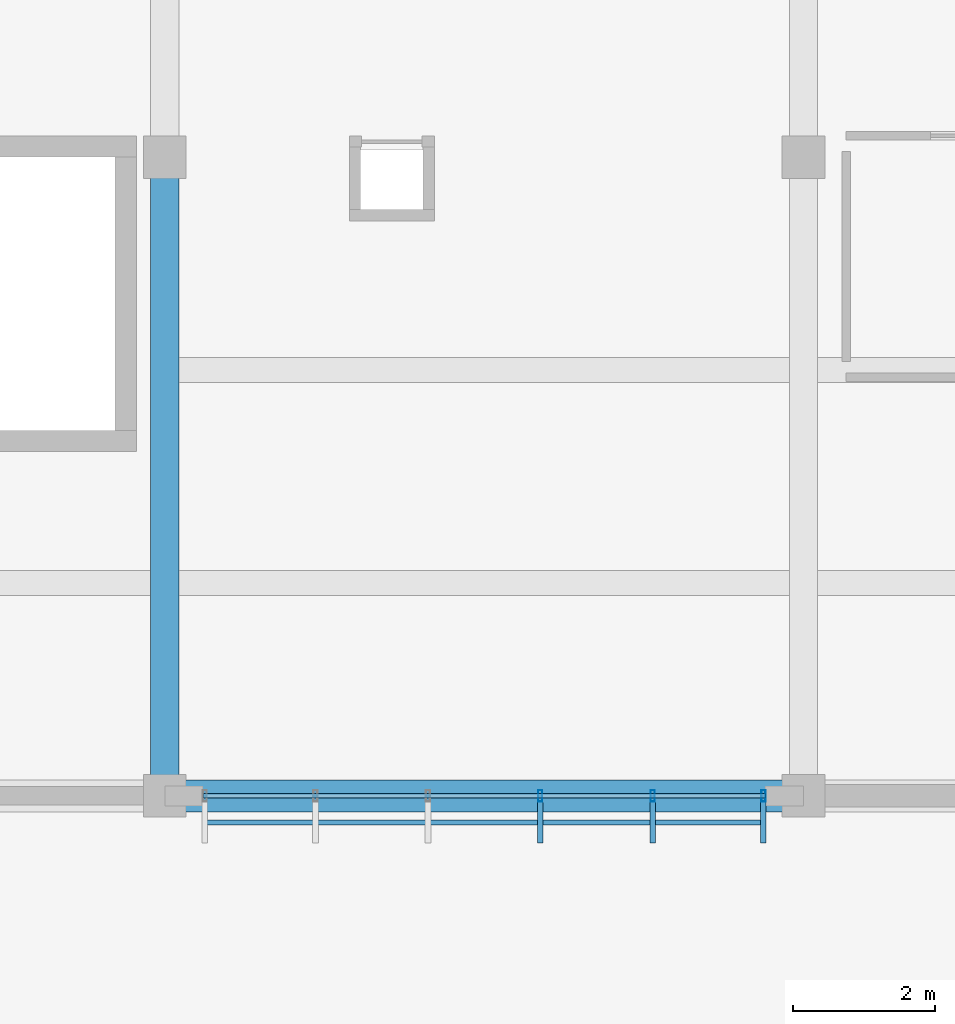
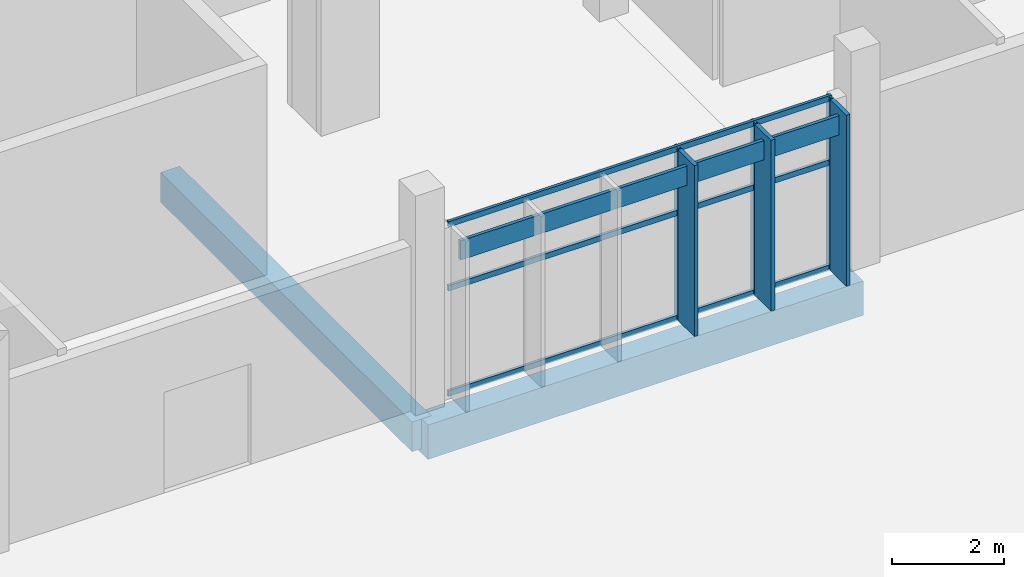
# One storey, part 66 of 151: 10 members, 2 beams, 1 element without a shape of its own.
"""IFC4 building model written with IfcOpenShell, lengths in metres."""

from ifc_helpers import new_model, si_unit, direction, frame, origin, origin_2d, place, context, subcontext, project, spatial, rectangle, hollow_rectangle, extrude, material, material_profile, profile_set, type_object, element, aggregate, save


model = new_model("IFC4")

# Units and contexts
model_context = context("Model", 3, precision=1e-05, world=origin(), true_north=direction((0.0, 1.0)))
body_context = subcontext(model_context, "Body", "Model", "MODEL_VIEW")
ifc_project = project(units=[si_unit("LENGTHUNIT", "METRE"), si_unit("AREAUNIT", "SQUARE_METRE"), si_unit("VOLUMEUNIT", "CUBIC_METRE"), si_unit("PLANEANGLEUNIT", "RADIAN"), si_unit("MASSUNIT", "GRAM", prefix="KILO")], contexts=[model_context])

# Site, building, storey
site_placement = place(None, origin())
site = spatial("IfcSite", under=ifc_project, at=site_placement, CompositionType="ELEMENT")
building_placement = place(site_placement, origin())
building = spatial("IfcBuilding", under=site, at=building_placement, Name="Chiffa Square Polytechnic", CompositionType="ELEMENT")
storey_placement = place(building_placement, origin())
storey = spatial("IfcBuildingStorey", under=building, at=storey_placement, Name="L00", CompositionType="ELEMENT", Elevation=0.0)

# Beams
ifc_material_1 = material(Name="Concrete C35/45", Category="concrete")
ifc_material_profile_1 = material_profile(ifc_material_1, rectangle(XDim=0.39990234375, YDim=0.64990234375, at=origin_2d()), Name="RC 400x650")
ifc_profile_set_1 = profile_set([ifc_material_profile_1], Name="Concrete C35/45")
beam_type_1 = type_object("IfcBeamType", Name="BM-RC-400X650", PredefinedType="BEAM", material=ifc_profile_set_1)
beam_1_placement = place(storey_placement, frame((75.60009765625, 103.800048828125, -0.675048828125), z_axis=(0.0, 1.0, 0.0), x_axis=(-1.0, 0.0, 0.0)))
element("IfcBeam", 1, at=beam_1_placement, inside=storey, type_object=beam_type_1, Name="Primary floor girder BM-V5-L00-Y-0756-1038", PredefinedType="BEAM", context=body_context, shape_type="SweptSolid", body=[
    extrude(rectangle(XDim=0.39990234375, YDim=0.64990234375, at=origin_2d()), origin(), (0.0, 0.0, 1.0), 9.0),
])
ifc_material_profile_2 = material_profile(ifc_material_1, rectangle(XDim=0.449951171875, YDim=0.75, at=origin_2d()), Name="RC 450x750")
ifc_profile_set_2 = profile_set([ifc_material_profile_2], Name="Concrete C35/45")
beam_type_2 = type_object("IfcBeamType", Name="BM-RC-450X750", PredefinedType="BEAM", material=ifc_profile_set_2)
beam_2_placement = place(storey_placement, frame((75.60009765625, 103.800048828125, -0.72509765625), z_axis=(1.0, 0.0, 0.0), x_axis=(0.0, 1.0, 0.0)))
element("IfcBeam", 2, at=beam_2_placement, inside=storey, type_object=beam_type_2, Name="Primary floor girder BM-V5-L00-X-0756-1038", PredefinedType="BEAM", context=body_context, shape_type="SweptSolid", body=[
    extrude(rectangle(XDim=0.449951171875, YDim=0.75, at=origin_2d()), origin(), (0.0, 0.0, 1.0), 9.0),
])

# Curtain wall, members
ifc_material_2 = material(Name="Aluminium EN AW-6060 T66 and glulam shading", Category="wood")
curtain_wall_type = type_object("IfcCurtainWallType", Name="CW-VERT-360X380", PredefinedType="USERDEFINED", material=ifc_material_2)
curtain_wall_placement = place(storey_placement, origin())
curtain_wall = element("IfcCurtainWall", 3, at=curtain_wall_placement, inside=storey, type_object=curtain_wall_type, Name="Curtain wall CW-V5-L00-189", ObjectType="CURTAIN WALL", PredefinedType="USERDEFINED")
ifc_material_3 = material(Name="Aluminium EN AW-6060 T66", Category="aluminium")
ifc_material_profile_3 = material_profile(ifc_material_3, hollow_rectangle(XDim=0.06005859375, YDim=0.159912109375, WallThickness=0.00390625, at=origin_2d()), Name="ALU 60x160x4")
ifc_profile_set_3 = profile_set([ifc_material_profile_3], Name="Aluminium EN AW-6060 T66")
member_type_1 = type_object("IfcMemberType", Name="CWM-ALU-65X150", PredefinedType="MULLION", material=ifc_profile_set_3)
member_1_placement = place(storey_placement, frame((80.89208984375, 103.800048828125, 0.0), z_axis=(0.0, 0.0, 1.0), x_axis=(1.0, 0.0, 0.0)))
member_1 = element("IfcMember", 4, at=member_1_placement, type_object=member_type_1, Name="Curtain wall mullion CW-V5-L00-189-M03", PredefinedType="MULLION", context=body_context, shape_type="SweptSolid", body=[
    extrude(hollow_rectangle(XDim=0.06005859375, YDim=0.159912109375, WallThickness=0.00390625, at=origin_2d()), origin(), (0.0, 0.0, 1.0), 3.7548828125),
])
member_2_placement = place(storey_placement, frame((82.47607421875, 103.800048828125, 0.0), z_axis=(0.0, 0.0, 1.0), x_axis=(1.0, 0.0, 0.0)))
member_2 = element("IfcMember", 5, at=member_2_placement, type_object=member_type_1, Name="Curtain wall mullion CW-V5-L00-189-M04", PredefinedType="MULLION", context=body_context, shape_type="SweptSolid", body=[
    extrude(hollow_rectangle(XDim=0.06005859375, YDim=0.159912109375, WallThickness=0.00390625, at=origin_2d()), origin(), (0.0, 0.0, 1.0), 3.7548828125),
])
member_3_placement = place(storey_placement, frame((84.034912109375, 103.800048828125, 0.0), z_axis=(0.0, 0.0, 1.0), x_axis=(1.0, 0.0, 0.0)))
member_3 = element("IfcMember", 6, at=member_3_placement, type_object=member_type_1, Name="Curtain wall mullion CW-V5-L00-189-M05", PredefinedType="MULLION", context=body_context, shape_type="SweptSolid", body=[
    extrude(hollow_rectangle(XDim=0.06005859375, YDim=0.159912109375, WallThickness=0.00390625, at=origin_2d()), origin(), (0.0, 0.0, 1.0), 3.7548828125),
])
ifc_material_4 = material(Name="Glulam GL28h", Category="wood")
ifc_material_profile_4 = material_profile(ifc_material_4, rectangle(XDim=0.080078125, YDim=0.580078125, at=origin_2d()), Name="GL28h 80x580")
ifc_profile_set_4 = profile_set([ifc_material_profile_4], Name="Glulam GL28h")
member_type_2 = type_object("IfcMemberType", Name="CWM-GL-80X580", PredefinedType="MULLION", material=ifc_profile_set_4)
member_4_placement = place(storey_placement, frame((80.89208984375, 103.427978515625, 0.010009765625), z_axis=(0.0, 0.0, 1.0), x_axis=(1.0, 0.0, 0.0)))
member_4 = element("IfcMember", 7, at=member_4_placement, type_object=member_type_2, Name="Exterior glulam solar fin CW-V5-L00-189-FN03", PredefinedType="MULLION", context=body_context, shape_type="SweptSolid", body=[
    extrude(rectangle(XDim=0.080078125, YDim=0.580078125, at=origin_2d()), origin(), (0.0, 0.0, 1.0), 3.735107421875),
])
member_5_placement = place(storey_placement, frame((82.47607421875, 103.427978515625, 0.010009765625), z_axis=(0.0, 0.0, 1.0), x_axis=(1.0, 0.0, 0.0)))
member_5 = element("IfcMember", 8, at=member_5_placement, type_object=member_type_2, Name="Exterior glulam solar fin CW-V5-L00-189-FN04", PredefinedType="MULLION", context=body_context, shape_type="SweptSolid", body=[
    extrude(rectangle(XDim=0.080078125, YDim=0.580078125, at=origin_2d()), origin(), (0.0, 0.0, 1.0), 3.735107421875),
])
member_6_placement = place(storey_placement, frame((84.034912109375, 103.427978515625, 0.010009765625), z_axis=(0.0, 0.0, 1.0), x_axis=(1.0, 0.0, 0.0)))
member_6 = element("IfcMember", 9, at=member_6_placement, type_object=member_type_2, Name="Exterior glulam solar fin CW-V5-L00-189-FN05", PredefinedType="MULLION", context=body_context, shape_type="SweptSolid", body=[
    extrude(rectangle(XDim=0.080078125, YDim=0.580078125, at=origin_2d()), origin(), (0.0, 0.0, 1.0), 3.735107421875),
])
ifc_material_profile_5 = material_profile(ifc_material_3, hollow_rectangle(XDim=0.06005859375, YDim=0.1201171875, WallThickness=0.00390625, at=origin_2d()), Name="ALU 60x120x4")
ifc_profile_set_5 = profile_set([ifc_material_profile_5], Name="Aluminium EN AW-6060 T66")
member_type_3 = type_object("IfcMemberType", Name="CWT-ALU-65X120", PredefinedType="USERDEFINED", material=ifc_profile_set_5)
member_7_placement = place(storey_placement, frame((76.137939453125, 103.800048828125, 0.030029296875), z_axis=(1.0, 0.0, 0.0), x_axis=(0.0, 1.0, 0.0)))
member_7 = element("IfcMember", 10, at=member_7_placement, type_object=member_type_3, Name="Curtain wall transom CW-V5-L00-189-T01", ObjectType="TRANSOM", PredefinedType="USERDEFINED", context=body_context, shape_type="SweptSolid", body=[
    extrude(hollow_rectangle(XDim=0.06005859375, YDim=0.1201171875, WallThickness=0.00390625, at=origin_2d()), origin(), (0.0, 0.0, 1.0), 7.924072265625),
])
member_8_placement = place(storey_placement, frame((76.137939453125, 103.800048828125, 2.327880859375), z_axis=(1.0, 0.0, 0.0), x_axis=(0.0, 1.0, 0.0)))
member_8 = element("IfcMember", 11, at=member_8_placement, type_object=member_type_3, Name="Curtain wall transom CW-V5-L00-189-T02", ObjectType="TRANSOM", PredefinedType="USERDEFINED", context=body_context, shape_type="SweptSolid", body=[
    extrude(hollow_rectangle(XDim=0.06005859375, YDim=0.1201171875, WallThickness=0.00390625, at=origin_2d()), origin(), (0.0, 0.0, 1.0), 7.924072265625),
])
member_9_placement = place(storey_placement, frame((76.137939453125, 103.800048828125, 3.72509765625), z_axis=(1.0, 0.0, 0.0), x_axis=(0.0, 1.0, 0.0)))
member_9 = element("IfcMember", 12, at=member_9_placement, type_object=member_type_3, Name="Curtain wall transom CW-V5-L00-189-T03", ObjectType="TRANSOM", PredefinedType="USERDEFINED", context=body_context, shape_type="SweptSolid", body=[
    extrude(hollow_rectangle(XDim=0.06005859375, YDim=0.1201171875, WallThickness=0.00390625, at=origin_2d()), origin(), (0.0, 0.0, 1.0), 7.924072265625),
])
ifc_material_profile_6 = material_profile(ifc_material_4, rectangle(XDim=0.070068359375, YDim=0.419921875, at=origin_2d()), Name="GL28h 70x420")
ifc_profile_set_6 = profile_set([ifc_material_profile_6], Name="Glulam GL28h")
member_type_4 = type_object("IfcMemberType", Name="CWT-GL-70X420", PredefinedType="USERDEFINED", material=ifc_profile_set_6)
member_10_placement = place(storey_placement, frame((76.1650390625, 103.427978515625, 3.375), z_axis=(1.0, 0.0, 0.0), x_axis=(0.0, 1.0, 0.0)))
member_10 = element("IfcMember", 13, at=member_10_placement, type_object=member_type_4, Name="Exterior glulam brise-soleil CW-V5-L00-189-BS01", ObjectType="TRANSOM", PredefinedType="USERDEFINED", context=body_context, shape_type="SweptSolid", body=[
    extrude(rectangle(XDim=0.070068359375, YDim=0.419921875, at=origin_2d()), origin(), (0.0, 0.0, 1.0), 7.869873046875),
])
aggregate(curtain_wall, [member_1, member_4, member_2, member_5, member_3, member_6, member_7, member_8, member_9, member_10])

save(model, "model.ifc")
